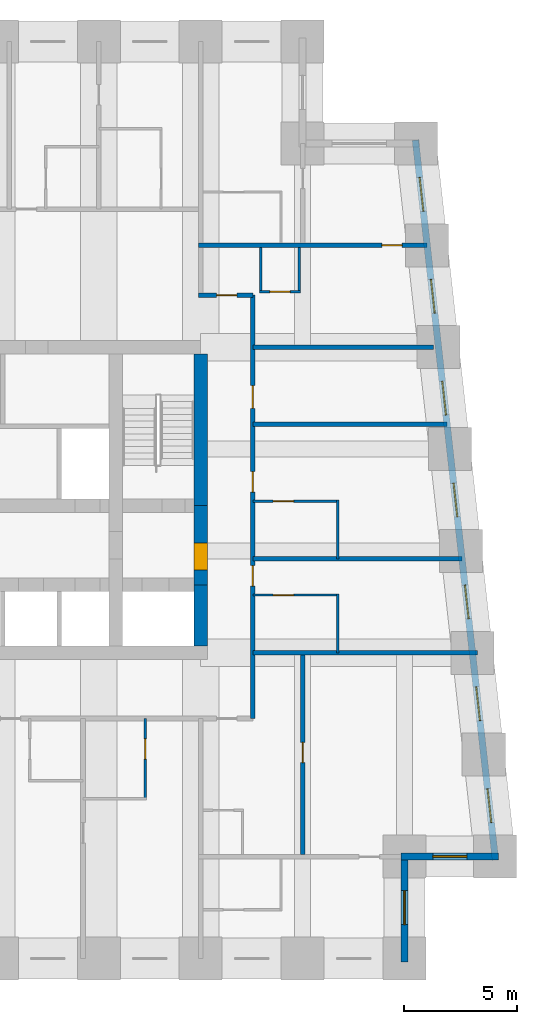
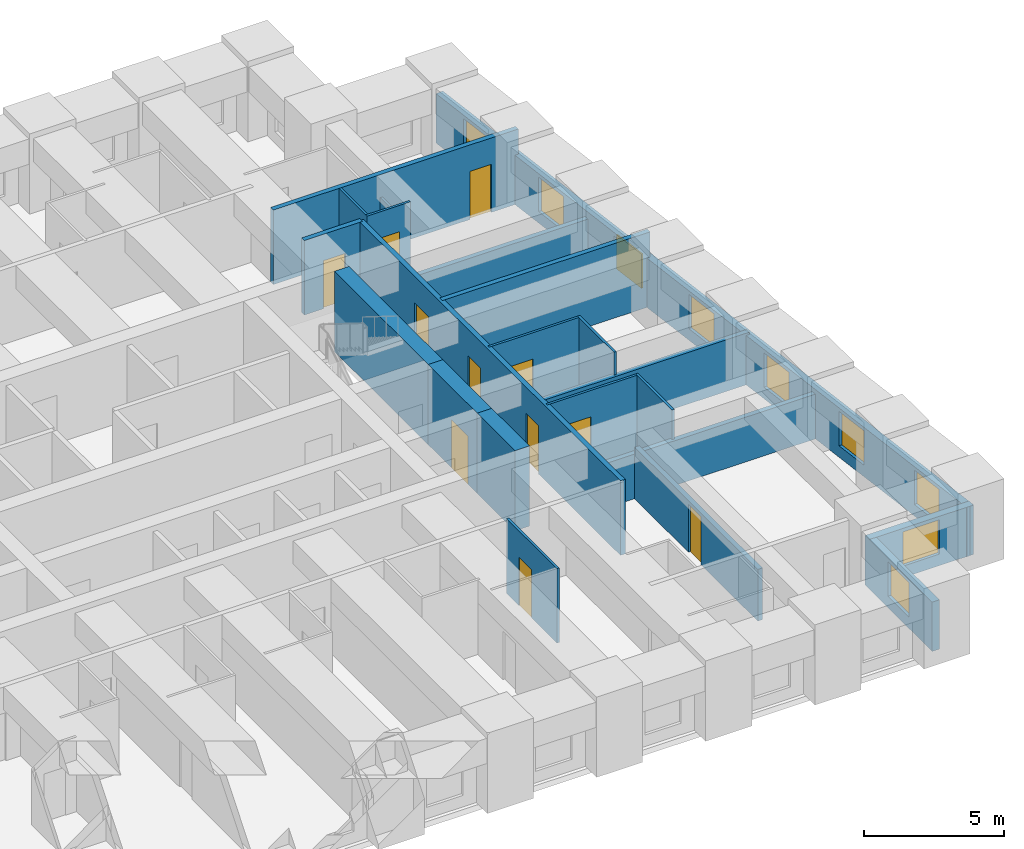
# One storey, part 5 of 8: 22 walls, 11 doors, 9 windows, 20 openings.
"""IFC4 building model written with IfcOpenShell, lengths in metres."""

from ifc_helpers import new_model, si_unit, direction, frame, frame_2d, origin, place, context, subcontext, project, spatial, rectangle, extrude, material, layer, layer_set, type_object, element, fill, save


model = new_model("IFC4")

# Units and contexts
model_context = context("Model", 3, precision=1e-05, world=origin(), true_north=direction((0.0, 1.0)))
body_context = subcontext(model_context, "Body", "Model", "MODEL_VIEW")
ifc_project = project(units=[si_unit("LENGTHUNIT", "METRE"), si_unit("AREAUNIT", "SQUARE_METRE"), si_unit("VOLUMEUNIT", "CUBIC_METRE"), si_unit("PLANEANGLEUNIT", "RADIAN"), si_unit("MASSUNIT", "GRAM", prefix="KILO")], contexts=[model_context])

# Site, building, storey
site_placement = place(None, origin())
site = spatial("IfcSite", under=ifc_project, at=site_placement, CompositionType="ELEMENT")
building_placement = place(site_placement, origin())
building = spatial("IfcBuilding", under=site, at=building_placement, Name="Kilele Tower Hotel", CompositionType="ELEMENT")
storey_placement = place(building_placement, frame((0.0, 0.0, 110.89990234375)))
storey = spatial("IfcBuildingStorey", under=building, at=storey_placement, Name="L28", CompositionType="ELEMENT", Elevation=110.89990234375)

# Wall, opening, door
ifc_material_1 = material(Name="Moisture-resistant board")
ifc_layer_1 = layer(ifc_material_1, 0.10009765625)
ifc_layer_set_1 = layer_set([ifc_layer_1], Name="Moisture-resistant board")
wall_type_1 = type_object("IfcWallType", Name="Bathroom partition 100", PredefinedType="PLUMBINGWALL", material=ifc_layer_set_1)
wall_1_placement = place(storey_placement, frame((33.550048828125, 10.60009765625, 0.0), z_axis=(0.0, 0.0, 1.0), x_axis=(0.0, -1.0, 0.0)))
wall_1 = element("IfcWall", 1, at=wall_1_placement, inside=storey, type_object=wall_type_1, Name="Bathroom partition 100 L28", PredefinedType="PLUMBINGWALL", context=body_context, shape_type="SweptSolid", body=[
    extrude(rectangle(XDim=3.60009765625, YDim=0.10009765625, at=frame_2d((1.800048828125, 0.0))), origin(), (0.0, 0.0, 1.0), 3.25),
])
opening_1_placement = place(wall_1_placement, frame((0.89990234375, 0.0, 0.0)))
opening_1 = element("IfcOpeningElement", 2, at=opening_1_placement, cuts=wall_1, Name="Opening D2A", PredefinedType="OPENING", context=body_context, shape_type="SweptSolid", body=[
    extrude(rectangle(XDim=0.89990234375, YDim=2.10009765625, at=frame_2d((0.449951171875, 1.050048828125))), frame((0.0, 0.06005859375, 0.0), z_axis=(0.0, -1.0, 0.0), x_axis=(1.0, 0.0, 0.0)), (0.0, 0.0, 1.0), 0.1201171875),
])
ifc_material_2 = material(Name="Timber door leaf in hardwood frame", Category="wood")
door_type_1 = type_object("IfcDoorType", Name="Bathroom door 900", OperationType="SINGLE_SWING_LEFT", PredefinedType="DOOR", material=ifc_material_2)
door_1_placement = place(opening_1_placement, origin())
door_1 = element("IfcDoor", 3, at=door_1_placement, inside=storey, type_object=door_type_1, Name="Bathroom door 2805B", OperationType="SINGLE_SWING_LEFT", OverallHeight=2.10009765625, OverallWidth=0.89990234375, PredefinedType="DOOR", context=body_context, shape_type="SweptSolid", body=[
    extrude(rectangle(XDim=0.89990234375, YDim=2.10009765625, at=frame_2d((0.449951171875, 1.050048828125))), frame((0.0, 0.02490234375, 0.0), z_axis=(0.0, -1.0, 0.0), x_axis=(1.0, 0.0, 0.0)), (0.0, 0.0, 1.0), 0.050048828125),
])
fill(opening_1, door_1)

# Wall
wall_2_placement = place(storey_placement, frame((42.050048828125, 13.5, 0.0), z_axis=(0.0, 0.0, 1.0), x_axis=(0.0, 1.0, 0.0)))
element("IfcWall", 4, at=wall_2_placement, inside=storey, type_object=wall_type_1, Name="Bathroom partition 100 L28", PredefinedType="PLUMBINGWALL", context=body_context, shape_type="SweptSolid", body=[
    extrude(rectangle(XDim=2.60009765625, YDim=0.10009765625, at=frame_2d((1.300048828125, 0.0))), origin(), (0.0, 0.0, 1.0), 3.25),
])

# Wall, opening, door
wall_3_placement = place(storey_placement, frame((38.300048828125, 16.050048828125, 0.0), z_axis=(0.0, 0.0, 1.0), x_axis=(1.0, 0.0, 0.0)))
wall_3 = element("IfcWall", 5, at=wall_3_placement, inside=storey, type_object=wall_type_1, Name="Bathroom partition 100 L28", PredefinedType="PLUMBINGWALL", context=body_context, shape_type="SweptSolid", body=[
    extrude(rectangle(XDim=3.800048828125, YDim=0.10009765625, at=frame_2d((1.89990234375, 0.0))), origin(), (0.0, 0.0, 1.0), 3.25),
])
opening_2_placement = place(wall_3_placement, frame((0.89990234375, 0.0, 0.0)))
opening_2 = element("IfcOpeningElement", 6, at=opening_2_placement, cuts=wall_3, Name="Opening D2A", PredefinedType="OPENING", context=body_context, shape_type="SweptSolid", body=[
    extrude(rectangle(XDim=0.89990234375, YDim=2.10009765625, at=frame_2d((0.449951171875, 1.050048828125))), frame((0.0, 0.06005859375, 0.0), z_axis=(0.0, -1.0, 0.0), x_axis=(1.0, 0.0, 0.0)), (0.0, 0.0, 1.0), 0.1201171875),
])
door_2_placement = place(opening_2_placement, origin())
door_2 = element("IfcDoor", 7, at=door_2_placement, inside=storey, type_object=door_type_1, Name="Bathroom door 2806B", OperationType="SINGLE_SWING_LEFT", OverallHeight=2.10009765625, OverallWidth=0.89990234375, PredefinedType="DOOR", context=body_context, shape_type="SweptSolid", body=[
    extrude(rectangle(XDim=0.89990234375, YDim=2.10009765625, at=frame_2d((0.449951171875, 1.050048828125))), frame((0.0, 0.02490234375, 0.0), z_axis=(0.0, -1.0, 0.0), x_axis=(1.0, 0.0, 0.0)), (0.0, 0.0, 1.0), 0.050048828125),
])
fill(opening_2, door_2)

# Wall
wall_4_placement = place(storey_placement, frame((42.050048828125, 17.64990234375, 0.0), z_axis=(0.0, 0.0, 1.0), x_axis=(0.0, 1.0, 0.0)))
element("IfcWall", 8, at=wall_4_placement, inside=storey, type_object=wall_type_1, Name="Bathroom partition 100 L28", PredefinedType="PLUMBINGWALL", context=body_context, shape_type="SweptSolid", body=[
    extrude(rectangle(XDim=2.60009765625, YDim=0.10009765625, at=frame_2d((1.300048828125, 0.0))), origin(), (0.0, 0.0, 1.0), 3.25),
])

# Wall, opening, door
wall_5_placement = place(storey_placement, frame((38.300048828125, 20.199951171875, 0.0), z_axis=(0.0, 0.0, 1.0), x_axis=(1.0, 0.0, 0.0)))
wall_5 = element("IfcWall", 9, at=wall_5_placement, inside=storey, type_object=wall_type_1, Name="Bathroom partition 100 L28", PredefinedType="PLUMBINGWALL", context=body_context, shape_type="SweptSolid", body=[
    extrude(rectangle(XDim=3.800048828125, YDim=0.10009765625, at=frame_2d((1.89990234375, 0.0))), origin(), (0.0, 0.0, 1.0), 3.25),
])
opening_3_placement = place(wall_5_placement, frame((0.89990234375, 0.0, 0.0)))
opening_3 = element("IfcOpeningElement", 10, at=opening_3_placement, cuts=wall_5, Name="Opening D2A", PredefinedType="OPENING", context=body_context, shape_type="SweptSolid", body=[
    extrude(rectangle(XDim=0.89990234375, YDim=2.10009765625, at=frame_2d((0.449951171875, 1.050048828125))), frame((0.0, 0.06005859375, 0.0), z_axis=(0.0, -1.0, 0.0), x_axis=(1.0, 0.0, 0.0)), (0.0, 0.0, 1.0), 0.1201171875),
])
door_3_placement = place(opening_3_placement, origin())
door_3 = element("IfcDoor", 11, at=door_3_placement, inside=storey, type_object=door_type_1, Name="Bathroom door 2807B", OperationType="SINGLE_SWING_LEFT", OverallHeight=2.10009765625, OverallWidth=0.89990234375, PredefinedType="DOOR", context=body_context, shape_type="SweptSolid", body=[
    extrude(rectangle(XDim=0.89990234375, YDim=2.10009765625, at=frame_2d((0.449951171875, 1.050048828125))), frame((0.0, 0.02490234375, 0.0), z_axis=(0.0, -1.0, 0.0), x_axis=(1.0, 0.0, 0.0)), (0.0, 0.0, 1.0), 0.050048828125),
])
fill(opening_3, door_3)

# Walls
wall_6_placement = place(storey_placement, frame((40.35009765625, 31.39990234375, 0.0), z_axis=(0.0, 0.0, 1.0), x_axis=(0.0, -1.0, 0.0)))
element("IfcWall", 12, at=wall_6_placement, inside=storey, type_object=wall_type_1, Name="Bathroom partition 100 L28", PredefinedType="PLUMBINGWALL", context=body_context, shape_type="SweptSolid", body=[
    extrude(rectangle(XDim=2.0, YDim=0.10009765625, at=frame_2d((1.0, 0.0))), origin(), (0.0, 0.0, 1.0), 2.25),
])
wall_7_placement = place(storey_placement, frame((38.64990234375, 31.39990234375, 0.0), z_axis=(0.0, 0.0, 1.0), x_axis=(0.0, -1.0, 0.0)))
element("IfcWall", 13, at=wall_7_placement, inside=storey, type_object=wall_type_1, Name="Bathroom partition 100 L28", PredefinedType="PLUMBINGWALL", context=body_context, shape_type="SweptSolid", body=[
    extrude(rectangle(XDim=2.0, YDim=0.10009765625, at=frame_2d((1.0, 0.0))), origin(), (0.0, 0.0, 1.0), 3.25),
])

# Wall, opening, door
wall_8_placement = place(storey_placement, frame((38.60009765625, 29.449951171875, 0.0), z_axis=(0.0, 0.0, 1.0), x_axis=(1.0, 0.0, 0.0)))
wall_8 = element("IfcWall", 14, at=wall_8_placement, inside=storey, type_object=wall_type_1, Name="Bathroom partition 100 L28", PredefinedType="PLUMBINGWALL", context=body_context, shape_type="SweptSolid", body=[
    extrude(rectangle(XDim=1.7998046875, YDim=0.10009765625, at=frame_2d((0.89990234375, 0.0))), origin(), (0.0, 0.0, 1.0), 3.25),
])
opening_4_placement = place(wall_8_placement, frame((1.349853515625, 0.0, 0.0), z_axis=(0.0, 0.0, 1.0), x_axis=(-1.0, 0.0, 0.0)))
opening_4 = element("IfcOpeningElement", 15, at=opening_4_placement, cuts=wall_8, Name="Opening D2A", PredefinedType="OPENING", context=body_context, shape_type="SweptSolid", body=[
    extrude(rectangle(XDim=0.89990234375, YDim=2.10009765625, at=frame_2d((0.449951171875, 1.050048828125))), frame((0.0, 0.06005859375, 0.0), z_axis=(0.0, -1.0, 0.0), x_axis=(1.0, 0.0, 0.0)), (0.0, 0.0, 1.0), 0.1201171875),
])
door_4_placement = place(opening_4_placement, origin())
door_4 = element("IfcDoor", 16, at=door_4_placement, inside=storey, type_object=door_type_1, Name="Bathroom door 2823P", OperationType="SINGLE_SWING_RIGHT", OverallHeight=2.10009765625, OverallWidth=0.89990234375, PredefinedType="DOOR", context=body_context, shape_type="SweptSolid", body=[
    extrude(rectangle(XDim=0.89990234375, YDim=2.10009765625, at=frame_2d((0.449951171875, 1.050048828125))), frame((0.0, 0.02490234375, 0.0), z_axis=(0.0, -1.0, 0.0), x_axis=(1.0, 0.0, 0.0)), (0.0, 0.0, 1.0), 0.050048828125),
])
fill(opening_4, door_4)

# Wall
ifc_material_3 = material(Name="Concrete C60/75", Category="concrete")
ifc_layer_2 = layer(ifc_material_3, 0.60009765625)
ifc_layer_set_2 = layer_set([ifc_layer_2], Name="Concrete C60/75")
wall_type_2 = type_object("IfcWallType", Name="Core wall 600 C60/75", PredefinedType="SHEAR", material=ifc_layer_set_2)
wall_9_placement = place(storey_placement, frame((36.0, 13.800048828125, 0.0), z_axis=(0.0, 0.0, 1.0), x_axis=(0.0, 1.0, 0.0)))
element("IfcWall", 17, at=wall_9_placement, inside=storey, type_object=wall_type_2, Name="Core wall E1 L28", PredefinedType="SHEAR", context=body_context, shape_type="SweptSolid", body=[
    extrude(rectangle(XDim=2.699951171875, YDim=0.60009765625, at=frame_2d((1.35009765625, 0.0))), origin(), (0.0, 0.0, 1.0), 3.5),
])

# Wall, opening, door
wall_10_placement = place(storey_placement, frame((36.0, 16.5, 0.0), z_axis=(0.0, 0.0, 1.0), x_axis=(0.0, 1.0, 0.0)))
wall_10 = element("IfcWall", 18, at=wall_10_placement, inside=storey, type_object=wall_type_2, Name="Core wall E2 L28", PredefinedType="SHEAR", context=body_context, shape_type="SweptSolid", body=[
    extrude(rectangle(XDim=3.5, YDim=0.60009765625, at=frame_2d((1.75, 0.0))), origin(), (0.0, 0.0, 1.0), 3.5),
])
opening_5_placement = place(wall_10_placement, frame((0.64990234375, 0.0, 0.0)))
opening_5 = element("IfcOpeningElement", 19, at=opening_5_placement, cuts=wall_10, Name="Opening D4", PredefinedType="OPENING", context=body_context, shape_type="SweptSolid", body=[
    extrude(rectangle(XDim=1.199951171875, YDim=2.10009765625, at=frame_2d((0.60009765625, 1.050048828125))), frame((0.0, 0.31005859375, 0.0), z_axis=(0.0, -1.0, 0.0), x_axis=(1.0, 0.0, 0.0)), (0.0, 0.0, 1.0), 0.6201171875),
])
ifc_material_4 = material(Name="Timber door leaf in hardwood frame", Category="wood")
door_type_2 = type_object("IfcDoorType", Name="Firefighting lobby door 1200", OperationType="SINGLE_SWING_LEFT", PredefinedType="DOOR", material=ifc_material_4)
door_5_placement = place(opening_5_placement, origin())
door_5 = element("IfcDoor", 20, at=door_5_placement, inside=storey, type_object=door_type_2, Name="Lobby door L28", OperationType="SINGLE_SWING_LEFT", OverallHeight=2.10009765625, OverallWidth=1.199951171875, PredefinedType="DOOR", context=body_context, shape_type="SweptSolid", body=[
    extrude(rectangle(XDim=1.199951171875, YDim=2.10009765625, at=frame_2d((0.60009765625, 1.050048828125))), frame((0.0, 0.2998046875, 0.0), z_axis=(0.0, -1.0, 0.0), x_axis=(1.0, 0.0, 0.0)), (0.0, 0.0, 1.0), 0.599609375),
])
fill(opening_5, door_5)

# Wall
wall_11_placement = place(storey_placement, frame((36.0, 20.0, 0.0), z_axis=(0.0, 0.0, 1.0), x_axis=(0.0, 1.0, 0.0)))
element("IfcWall", 21, at=wall_11_placement, inside=storey, type_object=wall_type_2, Name="Core wall E3 L28", PredefinedType="SHEAR", context=body_context, shape_type="SweptSolid", body=[
    extrude(rectangle(XDim=6.699951171875, YDim=0.60009765625, at=frame_2d((3.35009765625, 0.0))), origin(), (0.0, 0.0, 1.0), 3.5),
])

# Wall, opening, door
ifc_material_5 = material(Name="Blockwork, plastered both sides", Category="masonry")
ifc_layer_3 = layer(ifc_material_5, 0.199951171875)
ifc_layer_set_3 = layer_set([ifc_layer_3], Name="Blockwork, plastered both sides")
wall_type_3 = type_object("IfcWallType", Name="Corridor wall 200", PredefinedType="PARTITIONING", material=ifc_layer_set_3)
wall_12_placement = place(storey_placement, frame((35.89990234375, 29.300048828125, 0.0), z_axis=(0.0, 0.0, 1.0), x_axis=(1.0, 0.0, 0.0)))
wall_12 = element("IfcWall", 22, at=wall_12_placement, inside=storey, type_object=wall_type_3, Name="Corridor wall 200 L28", PredefinedType="PARTITIONING", context=body_context, shape_type="SweptSolid", body=[
    extrude(rectangle(XDim=2.400146484375, YDim=0.199951171875, at=frame_2d((1.2001953125, 0.0))), origin(), (0.0, 0.0, 1.0), 3.25),
])
opening_6_placement = place(wall_12_placement, frame((0.800048828125, 0.0, 0.0)))
opening_6 = element("IfcOpeningElement", 23, at=opening_6_placement, cuts=wall_12, Name="Opening D1", PredefinedType="OPENING", context=body_context, shape_type="SweptSolid", body=[
    extrude(rectangle(XDim=0.89990234375, YDim=2.10009765625, at=frame_2d((0.449951171875, 1.050048828125))), frame((0.0, 0.10986328125, 0.0), z_axis=(0.0, -1.0, 0.0), x_axis=(1.0, 0.0, 0.0)), (0.0, 0.0, 1.0), 0.219970703125),
])
ifc_material_6 = material(Name="Timber door leaf in hardwood frame", Category="wood")
door_type_3 = type_object("IfcDoorType", Name="Guest room entrance door 900", OperationType="SINGLE_SWING_LEFT", PredefinedType="DOOR", material=ifc_material_6)
door_6_placement = place(opening_6_placement, origin())
door_6 = element("IfcDoor", 24, at=door_6_placement, inside=storey, type_object=door_type_3, Name="Room entrance 2823", OperationType="SINGLE_SWING_LEFT", OverallHeight=2.10009765625, OverallWidth=0.89990234375, PredefinedType="DOOR", context=body_context, shape_type="SweptSolid", body=[
    extrude(rectangle(XDim=0.89990234375, YDim=2.10009765625, at=frame_2d((0.449951171875, 1.050048828125))), frame((0.0, 0.02490234375, 0.0), z_axis=(0.0, -1.0, 0.0), x_axis=(1.0, 0.0, 0.0)), (0.0, 0.0, 1.0), 0.050048828125),
])
fill(opening_6, door_6)

# Wall, openings, doors
wall_13_placement = place(storey_placement, frame((38.300048828125, 10.60009765625, 0.0), z_axis=(0.0, 0.0, 1.0), x_axis=(0.0, 1.0, 0.0)))
wall_13 = element("IfcWall", 25, at=wall_13_placement, inside=storey, type_object=wall_type_3, Name="Corridor wall 200 L28", PredefinedType="PARTITIONING", context=body_context, shape_type="SweptSolid", body=[
    extrude(rectangle(XDim=18.699951171875, YDim=0.199951171875, at=frame_2d((9.35009765625, 0.0))), origin(), (0.0, 0.0, 1.0), 3.25),
])
opening_7_placement = place(wall_13_placement, frame((6.75, 0.0, 0.0), z_axis=(0.0, 0.0, 1.0), x_axis=(-1.0, 0.0, 0.0)))
opening_7 = element("IfcOpeningElement", 26, at=opening_7_placement, cuts=wall_13, Name="Opening D1", PredefinedType="OPENING", context=body_context, shape_type="SweptSolid", body=[
    extrude(rectangle(XDim=0.89990234375, YDim=2.10009765625, at=frame_2d((0.449951171875, 1.050048828125))), frame((0.0, 0.10986328125, 0.0), z_axis=(0.0, -1.0, 0.0), x_axis=(1.0, 0.0, 0.0)), (0.0, 0.0, 1.0), 0.219970703125),
])
opening_8_placement = place(wall_13_placement, frame((10.89990234375, 0.0, 0.0), z_axis=(0.0, 0.0, 1.0), x_axis=(-1.0, 0.0, 0.0)))
opening_8 = element("IfcOpeningElement", 27, at=opening_8_placement, cuts=wall_13, Name="Opening D1", PredefinedType="OPENING", context=body_context, shape_type="SweptSolid", body=[
    extrude(rectangle(XDim=0.89990234375, YDim=2.10009765625, at=frame_2d((0.449951171875, 1.050048828125))), frame((0.0, 0.10986328125, 0.0), z_axis=(0.0, -1.0, 0.0), x_axis=(1.0, 0.0, 0.0)), (0.0, 0.0, 1.0), 0.219970703125),
])
opening_9_placement = place(wall_13_placement, frame((14.699951171875, 0.0, 0.0), z_axis=(0.0, 0.0, 1.0), x_axis=(-1.0, 0.0, 0.0)))
opening_9 = element("IfcOpeningElement", 28, at=opening_9_placement, cuts=wall_13, Name="Opening D8", PredefinedType="OPENING", context=body_context, shape_type="SweptSolid", body=[
    extrude(rectangle(XDim=1.0, YDim=2.10009765625, at=frame_2d((0.5, 1.050048828125))), frame((0.0, 0.10986328125, 0.0), z_axis=(0.0, -1.0, 0.0), x_axis=(1.0, 0.0, 0.0)), (0.0, 0.0, 1.0), 0.219970703125),
])
ifc_material_7 = material(Name="Timber door leaf in hardwood frame", Category="wood")
door_type_4 = type_object("IfcDoorType", Name="Door 1000", OperationType="SINGLE_SWING_LEFT", PredefinedType="DOOR", material=ifc_material_7)
door_7_placement = place(opening_9_placement, origin())
door_7 = element("IfcDoor", 29, at=door_7_placement, inside=storey, type_object=door_type_4, Name="Room entrance 2808", OperationType="SINGLE_SWING_RIGHT", OverallHeight=2.10009765625, OverallWidth=1.0, PredefinedType="DOOR", context=body_context, shape_type="SweptSolid", body=[
    extrude(rectangle(XDim=1.0, YDim=2.10009765625, at=frame_2d((0.5, 1.050048828125))), frame((0.0, 0.02490234375, 0.0), z_axis=(0.0, -1.0, 0.0), x_axis=(1.0, 0.0, 0.0)), (0.0, 0.0, 1.0), 0.050048828125),
])
fill(opening_9, door_7)
door_8_placement = place(opening_7_placement, origin())
door_8 = element("IfcDoor", 30, at=door_8_placement, inside=storey, type_object=door_type_3, Name="Room entrance 2806", OperationType="SINGLE_SWING_LEFT", OverallHeight=2.10009765625, OverallWidth=0.89990234375, PredefinedType="DOOR", context=body_context, shape_type="SweptSolid", body=[
    extrude(rectangle(XDim=0.89990234375, YDim=2.10009765625, at=frame_2d((0.449951171875, 1.050048828125))), frame((0.0, 0.02490234375, 0.0), z_axis=(0.0, -1.0, 0.0), x_axis=(1.0, 0.0, 0.0)), (0.0, 0.0, 1.0), 0.050048828125),
])
fill(opening_7, door_8)
door_9_placement = place(opening_8_placement, origin())
door_9 = element("IfcDoor", 31, at=door_9_placement, inside=storey, type_object=door_type_3, Name="Room entrance 2807", OperationType="SINGLE_SWING_RIGHT", OverallHeight=2.10009765625, OverallWidth=0.89990234375, PredefinedType="DOOR", context=body_context, shape_type="SweptSolid", body=[
    extrude(rectangle(XDim=0.89990234375, YDim=2.10009765625, at=frame_2d((0.449951171875, 1.050048828125))), frame((0.0, 0.02490234375, 0.0), z_axis=(0.0, -1.0, 0.0), x_axis=(1.0, 0.0, 0.0)), (0.0, 0.0, 1.0), 0.050048828125),
])
fill(opening_8, door_9)

# Wall, opening, door
ifc_material_8 = material(Name="Blockwork, plastered both sides", Category="masonry")
ifc_layer_4 = layer(ifc_material_8, 0.199951171875)
ifc_layer_set_4 = layer_set([ifc_layer_4], Name="Blockwork, plastered both sides")
wall_type_4 = type_object("IfcWallType", Name="Partition wall 200", PredefinedType="PARTITIONING", material=ifc_layer_set_4)
wall_14_placement = place(storey_placement, frame((40.5, 4.60009765625, 0.0), z_axis=(0.0, 0.0, 1.0), x_axis=(0.0, 1.0, 0.0)))
wall_14 = element("IfcWall", 32, at=wall_14_placement, inside=storey, type_object=wall_type_4, Name="Partition wall 200 L28", PredefinedType="PARTITIONING", context=body_context, shape_type="SweptSolid", body=[
    extrude(rectangle(XDim=8.7998046875, YDim=0.199951171875, at=frame_2d((4.39990234375, 0.0))), origin(), (0.0, 0.0, 1.0), 2.25),
])
opening_10_placement = place(wall_14_placement, frame((4.050048828125, 0.0, 0.0)))
opening_10 = element("IfcOpeningElement", 33, at=opening_10_placement, cuts=wall_14, Name="Opening D3", PredefinedType="OPENING", context=body_context, shape_type="SweptSolid", body=[
    extrude(rectangle(XDim=0.89990234375, YDim=2.10009765625, at=frame_2d((0.449951171875, 1.050048828125))), frame((0.0, 0.10986328125, 0.0), z_axis=(0.0, -1.0, 0.0), x_axis=(1.0, 0.0, 0.0)), (0.0, 0.0, 1.0), 0.219970703125),
])
ifc_material_9 = material(Name="Timber door leaf in hardwood frame", Category="wood")
door_type_5 = type_object("IfcDoorType", Name="Suite internal door 900", OperationType="SINGLE_SWING_LEFT", PredefinedType="DOOR", material=ifc_material_9)
door_10_placement = place(opening_10_placement, origin())
door_10 = element("IfcDoor", 34, at=door_10_placement, inside=storey, type_object=door_type_5, Name="Suite door 2821", OperationType="SINGLE_SWING_RIGHT", OverallHeight=2.10009765625, OverallWidth=0.89990234375, PredefinedType="DOOR", context=body_context, shape_type="SweptSolid", body=[
    extrude(rectangle(XDim=0.89990234375, YDim=2.10009765625, at=frame_2d((0.449951171875, 1.050048828125))), frame((0.0, 0.02490234375, 0.0), z_axis=(0.0, -1.0, 0.0), x_axis=(1.0, 0.0, 0.0)), (0.0, 0.0, 1.0), 0.050048828125),
])
fill(opening_10, door_10)

# Walls
ifc_material_10 = material(Name="Blockwork, plastered both sides", Category="masonry")
ifc_layer_5 = layer(ifc_material_10, 0.199951171875)
ifc_layer_set_5 = layer_set([ifc_layer_5], Name="Blockwork, plastered both sides")
wall_type_5 = type_object("IfcWallType", Name="Party wall 200", PredefinedType="PARTITIONING", material=ifc_layer_set_5)
wall_15_placement = place(storey_placement, frame((38.300048828125, 17.64990234375, 0.0), z_axis=(0.0, 0.0, 1.0), x_axis=(1.0, 0.0, 0.0)))
element("IfcWall", 35, at=wall_15_placement, inside=storey, type_object=wall_type_5, Name="Party wall 200 L28", PredefinedType="PARTITIONING", context=body_context, shape_type="SweptSolid", body=[
    extrude(rectangle(XDim=9.238037109375, YDim=0.199951171875, at=frame_2d((4.619140625, 0.0))), origin(), (0.0, 0.0, 1.0), 2.25),
])
wall_16_placement = place(storey_placement, frame((38.300048828125, 23.60009765625, 0.0), z_axis=(0.0, 0.0, 1.0), x_axis=(1.0, 0.0, 0.0)))
element("IfcWall", 36, at=wall_16_placement, inside=storey, type_object=wall_type_5, Name="Party wall 200 L28", PredefinedType="PARTITIONING", context=body_context, shape_type="SweptSolid", body=[
    extrude(rectangle(XDim=8.576904296875, YDim=0.199951171875, at=frame_2d((4.28857421875, 0.0))), origin(), (0.0, 0.0, 1.0), 3.25),
])
wall_17_placement = place(storey_placement, frame((38.300048828125, 13.5, 0.0), z_axis=(0.0, 0.0, 1.0), x_axis=(1.0, 0.0, 0.0)))
element("IfcWall", 37, at=wall_17_placement, inside=storey, type_object=wall_type_5, Name="Party wall 200 L28", PredefinedType="PARTITIONING", context=body_context, shape_type="SweptSolid", body=[
    extrude(rectangle(XDim=9.921142578125, YDim=0.199951171875, at=frame_2d((4.96044921875, 0.0))), origin(), (0.0, 0.0, 1.0), 1.9501953125),
])
wall_18_placement = place(storey_placement, frame((38.300048828125, 27.0, 0.0), z_axis=(0.0, 0.0, 1.0), x_axis=(1.0, 0.0, 0.0)))
element("IfcWall", 38, at=wall_18_placement, inside=storey, type_object=wall_type_5, Name="Party wall 200 L28", PredefinedType="PARTITIONING", context=body_context, shape_type="SweptSolid", body=[
    extrude(rectangle(XDim=7.976806640625, YDim=0.199951171875, at=frame_2d((3.98828125, 0.0))), origin(), (0.0, 0.0, 1.0), 1.9501953125),
])

# Wall, opening, door
wall_19_placement = place(storey_placement, frame((35.89990234375, 31.5, 0.0), z_axis=(0.0, 0.0, 1.0), x_axis=(1.0, 0.0, 0.0)))
wall_19 = element("IfcWall", 39, at=wall_19_placement, inside=storey, type_object=wall_type_5, Name="Party wall 200 L28", PredefinedType="PARTITIONING", context=body_context, shape_type="SweptSolid", body=[
    extrude(rectangle(XDim=10.09912109375, YDim=0.199951171875, at=frame_2d((5.049560546875, 0.0))), origin(), (0.0, 0.0, 1.0), 3.25),
])
opening_11_placement = place(wall_19_placement, frame((8.09912109375, 0.0, 0.0)))
opening_11 = element("IfcOpeningElement", 40, at=opening_11_placement, cuts=wall_19, Name="Opening D3", PredefinedType="OPENING", context=body_context, shape_type="SweptSolid", body=[
    extrude(rectangle(XDim=0.89990234375, YDim=2.10009765625, at=frame_2d((0.449951171875, 1.050048828125))), frame((0.0, 0.10986328125, 0.0), z_axis=(0.0, -1.0, 0.0), x_axis=(1.0, 0.0, 0.0)), (0.0, 0.0, 1.0), 0.219970703125),
])
door_11_placement = place(opening_11_placement, origin())
door_11 = element("IfcDoor", 41, at=door_11_placement, inside=storey, type_object=door_type_5, Name="Suite door 2824", OperationType="SINGLE_SWING_RIGHT", OverallHeight=2.10009765625, OverallWidth=0.89990234375, PredefinedType="DOOR", context=body_context, shape_type="SweptSolid", body=[
    extrude(rectangle(XDim=0.89990234375, YDim=2.10009765625, at=frame_2d((0.449951171875, 1.050048828125))), frame((0.0, 0.02490234375, 0.0), z_axis=(0.0, -1.0, 0.0), x_axis=(1.0, 0.0, 0.0)), (0.0, 0.0, 1.0), 0.050048828125),
])
fill(opening_11, door_11)

# Wall, opening, window
ifc_material_11 = material(Name="Concrete C40/50 precast", Category="concrete")
ifc_layer_6 = layer(ifc_material_11, 0.260009765625, Name="Precast backing", Category="LoadBearing")
ifc_material_12 = material(Name="Reconstituted stone finish", Category="masonry")
ifc_layer_7 = layer(ifc_material_12, 0.0400390625, Name="Face mix", Category="Finish")
ifc_layer_set_6 = layer_set([ifc_layer_6, ifc_layer_7], Name="Precast concrete C40/50, reconstituted stone finish")
wall_type_6 = type_object("IfcWallType", Name="Precast stone facade wall 300", PredefinedType="STANDARD", material=ifc_layer_set_6)
wall_20_placement = place(storey_placement, frame((45.0, -0.14990234375, 0.0), z_axis=(0.0, 0.0, 1.0), x_axis=(0.0, 1.0, 0.0)))
wall_20 = element("IfcWall", 42, at=wall_20_placement, inside=storey, type_object=wall_type_6, Name="Facade wall L28 edge 4", PredefinedType="STANDARD", context=body_context, shape_type="SweptSolid", body=[
    extrude(rectangle(XDim=4.7998046875, YDim=0.300048828125, at=frame_2d((2.39990234375, 0.0))), origin(), (0.0, 0.0, 1.0), 2.150146484375),
])
opening_12_placement = place(wall_20_placement, frame((1.64990234375, 0.0, 0.5)))
opening_12 = element("IfcOpeningElement", 43, at=opening_12_placement, cuts=wall_20, Name="Opening W2", PredefinedType="OPENING", context=body_context, shape_type="SweptSolid", body=[
    extrude(rectangle(XDim=1.5, YDim=1.5, at=frame_2d((0.75, 0.75))), frame((0.0, 0.159912109375, 0.0), z_axis=(0.0, -1.0, 0.0), x_axis=(1.0, 0.0, 0.0)), (0.0, 0.0, 1.0), 0.320068359375),
])
ifc_material_13 = material(Name="Aluminium frame, clear double glazing", Category="aluminium")
window_type = type_object("IfcWindowType", Name="Window W2 1500 x 1500", PartitioningType="SINGLE_PANEL", PredefinedType="WINDOW", material=ifc_material_13)
window_1_placement = place(opening_12_placement, origin())
window_1 = element("IfcWindow", 44, at=window_1_placement, inside=storey, type_object=window_type, Name="Window L28", OverallHeight=1.5, OverallWidth=1.5, PartitioningType="SINGLE_PANEL", PredefinedType="WINDOW", context=body_context, shape_type="SweptSolid", body=[
    extrude(rectangle(XDim=1.5, YDim=1.5, at=frame_2d((0.75, 0.75))), frame((0.0, 0.030029296875, 0.0), z_axis=(0.0, -1.0, 0.0), x_axis=(1.0, 0.0, 0.0)), (0.0, 0.0, 1.0), 0.06005859375),
])
fill(opening_12, window_1)

wall_21_placement = place(storey_placement, frame((44.85009765625, 4.5, 0.0), z_axis=(0.0, 0.0, 1.0), x_axis=(1.0, 0.0, 0.0)))
wall_21 = element("IfcWall", 45, at=wall_21_placement, inside=storey, type_object=wall_type_6, Name="Facade wall L28 edge 5", PredefinedType="STANDARD", context=body_context, shape_type="SweptSolid", body=[
    extrude(rectangle(XDim=4.2998046875, YDim=0.300048828125, at=frame_2d((2.14990234375, 0.0))), origin(), (0.0, 0.0, 1.0), 2.150146484375),
])
opening_13_placement = place(wall_21_placement, frame((1.39990234375, 0.0, 0.5)))
opening_13 = element("IfcOpeningElement", 46, at=opening_13_placement, cuts=wall_21, Name="Opening W2", PredefinedType="OPENING", context=body_context, shape_type="SweptSolid", body=[
    extrude(rectangle(XDim=1.5, YDim=1.5, at=frame_2d((0.75, 0.75))), frame((0.0, 0.159912109375, 0.0), z_axis=(0.0, -1.0, 0.0), x_axis=(1.0, 0.0, 0.0)), (0.0, 0.0, 1.0), 0.320068359375),
])
window_2_placement = place(opening_13_placement, origin())
window_2 = element("IfcWindow", 47, at=window_2_placement, inside=storey, type_object=window_type, Name="Window L28", OverallHeight=1.5, OverallWidth=1.5, PartitioningType="SINGLE_PANEL", PredefinedType="WINDOW", context=body_context, shape_type="SweptSolid", body=[
    extrude(rectangle(XDim=1.5, YDim=1.5, at=frame_2d((0.75, 0.75))), frame((0.0, 0.030029296875, 0.0), z_axis=(0.0, -1.0, 0.0), x_axis=(1.0, 0.0, 0.0)), (0.0, 0.0, 1.0), 0.06005859375),
])
fill(opening_13, window_2)

# Wall, openings, windows
wall_22_placement = place(storey_placement, frame((49.0166015625, 4.350830078125, 0.0), z_axis=(0.0, 0.0, 1.0), x_axis=(-0.110433201132, 0.993883548555, 0.0)))
wall_22 = element("IfcWall", 48, at=wall_22_placement, inside=storey, type_object=wall_type_6, Name="Facade wall L28 edge 6", PredefinedType="STANDARD", context=body_context, shape_type="SweptSolid", body=[
    extrude(rectangle(XDim=31.994140625, YDim=0.300048828125, at=frame_2d((15.9970703125, 0.0))), origin(), (0.0, 0.0, 1.0), 2.150146484375),
])
opening_14_placement = place(wall_22_placement, frame((1.6640625, 0.0, 0.5)))
opening_14 = element("IfcOpeningElement", 49, at=opening_14_placement, cuts=wall_22, Name="Opening W2", PredefinedType="OPENING", context=body_context, shape_type="SweptSolid", body=[
    extrude(rectangle(XDim=1.5, YDim=1.5, at=frame_2d((0.75, 0.75))), frame((0.0, 0.159912109375, 0.0), z_axis=(0.0, -1.0, 0.0), x_axis=(1.0, 0.0, 0.0)), (0.0, 0.0, 1.0), 0.320068359375),
])
opening_15_placement = place(wall_22_placement, frame((6.19189453125, 0.0, 0.5)))
opening_15 = element("IfcOpeningElement", 50, at=opening_15_placement, cuts=wall_22, Name="Opening W2", PredefinedType="OPENING", context=body_context, shape_type="SweptSolid", body=[
    extrude(rectangle(XDim=1.5, YDim=1.5, at=frame_2d((0.75, 0.75))), frame((0.0, 0.159912109375, 0.0), z_axis=(0.0, -1.0, 0.0), x_axis=(1.0, 0.0, 0.0)), (0.0, 0.0, 1.0), 0.320068359375),
])
opening_16_placement = place(wall_22_placement, frame((10.718994140625, 0.0, 0.5)))
opening_16 = element("IfcOpeningElement", 51, at=opening_16_placement, cuts=wall_22, Name="Opening W2", PredefinedType="OPENING", context=body_context, shape_type="SweptSolid", body=[
    extrude(rectangle(XDim=1.5, YDim=1.5, at=frame_2d((0.75, 0.75))), frame((0.0, 0.159912109375, 0.0), z_axis=(0.0, -1.0, 0.0), x_axis=(1.0, 0.0, 0.0)), (0.0, 0.0, 1.0), 0.320068359375),
])
opening_17_placement = place(wall_22_placement, frame((15.2470703125, 0.0, 0.5)))
opening_17 = element("IfcOpeningElement", 52, at=opening_17_placement, cuts=wall_22, Name="Opening W2", PredefinedType="OPENING", context=body_context, shape_type="SweptSolid", body=[
    extrude(rectangle(XDim=1.5, YDim=1.5, at=frame_2d((0.75, 0.75))), frame((0.0, 0.159912109375, 0.0), z_axis=(0.0, -1.0, 0.0), x_axis=(1.0, 0.0, 0.0)), (0.0, 0.0, 1.0), 0.320068359375),
])
opening_18_placement = place(wall_22_placement, frame((19.77490234375, 0.0, 0.5)))
opening_18 = element("IfcOpeningElement", 53, at=opening_18_placement, cuts=wall_22, Name="Opening W2", PredefinedType="OPENING", context=body_context, shape_type="SweptSolid", body=[
    extrude(rectangle(XDim=1.5, YDim=1.5, at=frame_2d((0.75, 0.75))), frame((0.0, 0.159912109375, 0.0), z_axis=(0.0, -1.0, 0.0), x_axis=(1.0, 0.0, 0.0)), (0.0, 0.0, 1.0), 0.320068359375),
])
opening_19_placement = place(wall_22_placement, frame((24.302001953125, 0.0, 0.5)))
opening_19 = element("IfcOpeningElement", 54, at=opening_19_placement, cuts=wall_22, Name="Opening W2", PredefinedType="OPENING", context=body_context, shape_type="SweptSolid", body=[
    extrude(rectangle(XDim=1.5, YDim=1.5, at=frame_2d((0.75, 0.75))), frame((0.0, 0.159912109375, 0.0), z_axis=(0.0, -1.0, 0.0), x_axis=(1.0, 0.0, 0.0)), (0.0, 0.0, 1.0), 0.320068359375),
])
opening_20_placement = place(wall_22_placement, frame((28.830078125, 0.0, 0.5)))
opening_20 = element("IfcOpeningElement", 55, at=opening_20_placement, cuts=wall_22, Name="Opening W2", PredefinedType="OPENING", context=body_context, shape_type="SweptSolid", body=[
    extrude(rectangle(XDim=1.5, YDim=1.5, at=frame_2d((0.75, 0.75))), frame((0.0, 0.159912109375, 0.0), z_axis=(0.0, -1.0, 0.0), x_axis=(1.0, 0.0, 0.0)), (0.0, 0.0, 1.0), 0.320068359375),
])
window_3_placement = place(opening_14_placement, origin())
window_3 = element("IfcWindow", 56, at=window_3_placement, inside=storey, type_object=window_type, Name="Window L28", OverallHeight=1.5, OverallWidth=1.5, PartitioningType="SINGLE_PANEL", PredefinedType="WINDOW", context=body_context, shape_type="SweptSolid", body=[
    extrude(rectangle(XDim=1.5, YDim=1.5, at=frame_2d((0.75, 0.75))), frame((0.0, 0.030029296875, 0.0), z_axis=(0.0, -1.0, 0.0), x_axis=(1.0, 0.0, 0.0)), (0.0, 0.0, 1.0), 0.06005859375),
])
fill(opening_14, window_3)
window_4_placement = place(opening_15_placement, origin())
window_4 = element("IfcWindow", 57, at=window_4_placement, inside=storey, type_object=window_type, Name="Window L28", OverallHeight=1.5, OverallWidth=1.5, PartitioningType="SINGLE_PANEL", PredefinedType="WINDOW", context=body_context, shape_type="SweptSolid", body=[
    extrude(rectangle(XDim=1.5, YDim=1.5, at=frame_2d((0.75, 0.75))), frame((0.0, 0.030029296875, 0.0), z_axis=(0.0, -1.0, 0.0), x_axis=(1.0, 0.0, 0.0)), (0.0, 0.0, 1.0), 0.06005859375),
])
fill(opening_15, window_4)
window_5_placement = place(opening_16_placement, origin())
window_5 = element("IfcWindow", 58, at=window_5_placement, inside=storey, type_object=window_type, Name="Window L28", OverallHeight=1.5, OverallWidth=1.5, PartitioningType="SINGLE_PANEL", PredefinedType="WINDOW", context=body_context, shape_type="SweptSolid", body=[
    extrude(rectangle(XDim=1.5, YDim=1.5, at=frame_2d((0.75, 0.75))), frame((0.0, 0.030029296875, 0.0), z_axis=(0.0, -1.0, 0.0), x_axis=(1.0, 0.0, 0.0)), (0.0, 0.0, 1.0), 0.06005859375),
])
fill(opening_16, window_5)
window_6_placement = place(opening_17_placement, origin())
window_6 = element("IfcWindow", 59, at=window_6_placement, inside=storey, type_object=window_type, Name="Window L28", OverallHeight=1.5, OverallWidth=1.5, PartitioningType="SINGLE_PANEL", PredefinedType="WINDOW", context=body_context, shape_type="SweptSolid", body=[
    extrude(rectangle(XDim=1.5, YDim=1.5, at=frame_2d((0.75, 0.75))), frame((0.0, 0.030029296875, 0.0), z_axis=(0.0, -1.0, 0.0), x_axis=(1.0, 0.0, 0.0)), (0.0, 0.0, 1.0), 0.06005859375),
])
fill(opening_17, window_6)
window_7_placement = place(opening_18_placement, origin())
window_7 = element("IfcWindow", 60, at=window_7_placement, inside=storey, type_object=window_type, Name="Window L28", OverallHeight=1.5, OverallWidth=1.5, PartitioningType="SINGLE_PANEL", PredefinedType="WINDOW", context=body_context, shape_type="SweptSolid", body=[
    extrude(rectangle(XDim=1.5, YDim=1.5, at=frame_2d((0.75, 0.75))), frame((0.0, 0.030029296875, 0.0), z_axis=(0.0, -1.0, 0.0), x_axis=(1.0, 0.0, 0.0)), (0.0, 0.0, 1.0), 0.06005859375),
])
fill(opening_18, window_7)
window_8_placement = place(opening_19_placement, origin())
window_8 = element("IfcWindow", 61, at=window_8_placement, inside=storey, type_object=window_type, Name="Window L28", OverallHeight=1.5, OverallWidth=1.5, PartitioningType="SINGLE_PANEL", PredefinedType="WINDOW", context=body_context, shape_type="SweptSolid", body=[
    extrude(rectangle(XDim=1.5, YDim=1.5, at=frame_2d((0.75, 0.75))), frame((0.0, 0.030029296875, 0.0), z_axis=(0.0, -1.0, 0.0), x_axis=(1.0, 0.0, 0.0)), (0.0, 0.0, 1.0), 0.06005859375),
])
fill(opening_19, window_8)
window_9_placement = place(opening_20_placement, origin())
window_9 = element("IfcWindow", 62, at=window_9_placement, inside=storey, type_object=window_type, Name="Window L28", OverallHeight=1.5, OverallWidth=1.5, PartitioningType="SINGLE_PANEL", PredefinedType="WINDOW", context=body_context, shape_type="SweptSolid", body=[
    extrude(rectangle(XDim=1.5, YDim=1.5, at=frame_2d((0.75, 0.75))), frame((0.0, 0.030029296875, 0.0), z_axis=(0.0, -1.0, 0.0), x_axis=(1.0, 0.0, 0.0)), (0.0, 0.0, 1.0), 0.06005859375),
])
fill(opening_20, window_9)

save(model, "model.ifc")
